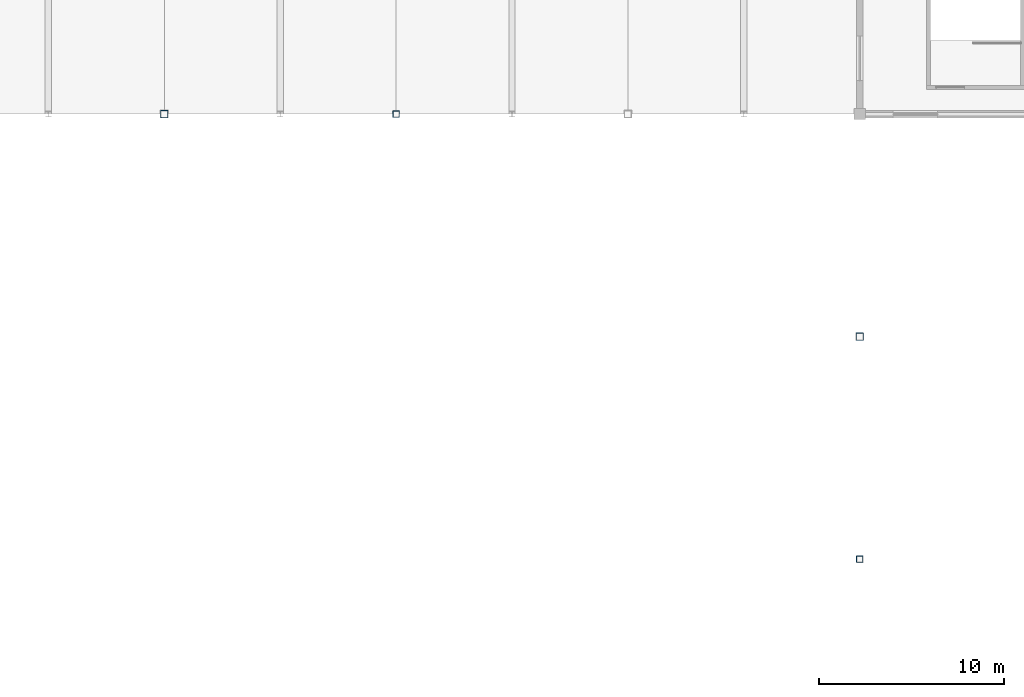
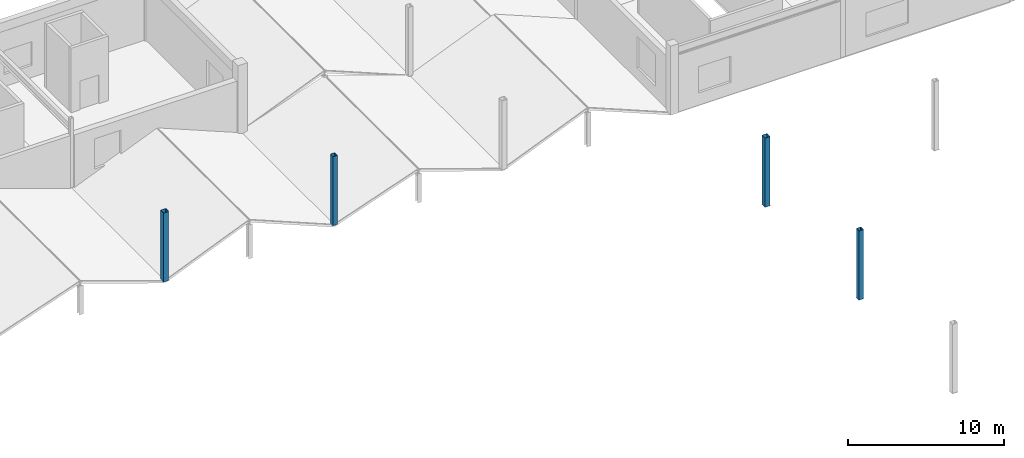
# One storey, part 17 of 76: 4 columns.
"""IFC4 building model written with IfcOpenShell, lengths in metres."""

from ifc_helpers import new_model, si_unit, direction, frame, origin, origin_2d, place, context, subcontext, project, spatial, hollow_rectangle, extrude, material, material_profile, profile_set, type_object, element, save


model = new_model("IFC4")

# Units and contexts
model_context = context("Model", 3, precision=1e-05, world=origin(), true_north=direction((0.0, 1.0)))
body_context = subcontext(model_context, "Body", "Model", "MODEL_VIEW")
ifc_project = project(units=[si_unit("LENGTHUNIT", "METRE"), si_unit("AREAUNIT", "SQUARE_METRE"), si_unit("VOLUMEUNIT", "CUBIC_METRE"), si_unit("PLANEANGLEUNIT", "RADIAN"), si_unit("MASSUNIT", "GRAM", prefix="KILO")], contexts=[model_context])

# Site, building, storey
site_placement = place(None, origin())
site = spatial("IfcSite", under=ifc_project, at=site_placement, CompositionType="ELEMENT")
building_placement = place(site_placement, origin())
building = spatial("IfcBuilding", under=site, at=building_placement, Name="Kazenohara Klinker Stadium", CompositionType="ELEMENT")
storey_placement = place(building_placement, frame((0.0, 0.0, 25.800048828125)))
storey = spatial("IfcBuildingStorey", under=building, at=storey_placement, Name="L05", CompositionType="ELEMENT", Elevation=25.800048828125)

# Columns
ifc_material = material(Name="Steel S355", Category="steel")
ifc_material_profile_1 = material_profile(ifc_material, hollow_rectangle(XDim=0.39990234375, YDim=0.39990234375, WallThickness=0.01611328125, InnerFilletRadius=0.01611328125, OuterFilletRadius=0.031982421875, at=origin_2d()), Name="SHS-400x400x16")
ifc_profile_set_1 = profile_set([ifc_material_profile_1], Name="Steel S355")
column_type_1 = type_object("IfcColumnType", Name="COL-ST01", PredefinedType="COLUMN", material=ifc_profile_set_1)
for number, where, z_axis, x_axis, name in (
    (1, (137.5, 132.0, 0.0), (0.0, 0.0, 1.0), (1.0, 0.0, 0.0), "Canopy ring support column SC01 L05 12/M"),
    (2, (175.0, 120.0, 0.0), (0.0, 0.0, 1.0), (1.0, 0.0, 0.0), "Canopy ring support column SC01 L05 15/L"),
):
    element("IfcColumn", number, at=place(storey_placement, frame(where, z_axis=z_axis, x_axis=x_axis)), inside=storey, type_object=column_type_1, Name=name, PredefinedType="COLUMN", context=body_context, shape_type="SweptSolid", body=[
        extrude(hollow_rectangle(XDim=0.39990234375, YDim=0.39990234375, WallThickness=0.01611328125, InnerFilletRadius=0.01611328125, OuterFilletRadius=0.031982421875, at=origin_2d()), origin(), (0.0, 0.0, 1.0), 5.39990234375),
    ])
ifc_material_profile_2 = material_profile(ifc_material, hollow_rectangle(XDim=0.35009765625, YDim=0.35009765625, WallThickness=0.01611328125, InnerFilletRadius=0.01611328125, OuterFilletRadius=0.031982421875, at=origin_2d()), Name="SHS-350x350x16")
ifc_profile_set_2 = profile_set([ifc_material_profile_2], Name="Steel S355")
column_type_2 = type_object("IfcColumnType", Name="COL-ST02", PredefinedType="COLUMN", material=ifc_profile_set_2)
for number, where, z_axis, x_axis, name in (
    (3, (150.0, 132.0, 0.0), (0.0, 0.0, 1.0), (1.0, 0.0, 0.0), "Canopy ring support column SC02 L05 13/M"),
    (4, (175.0, 108.0, 0.0), (0.0, 0.0, 1.0), (1.0, 0.0, 0.0), "Canopy ring support column SC02 L05 15/K"),
):
    element("IfcColumn", number, at=place(storey_placement, frame(where, z_axis=z_axis, x_axis=x_axis)), inside=storey, type_object=column_type_2, Name=name, PredefinedType="COLUMN", context=body_context, shape_type="SweptSolid", body=[
        extrude(hollow_rectangle(XDim=0.35009765625, YDim=0.35009765625, WallThickness=0.01611328125, InnerFilletRadius=0.01611328125, OuterFilletRadius=0.031982421875, at=origin_2d()), origin(), (0.0, 0.0, 1.0), 5.39990234375),
    ])

save(model, "model.ifc")
